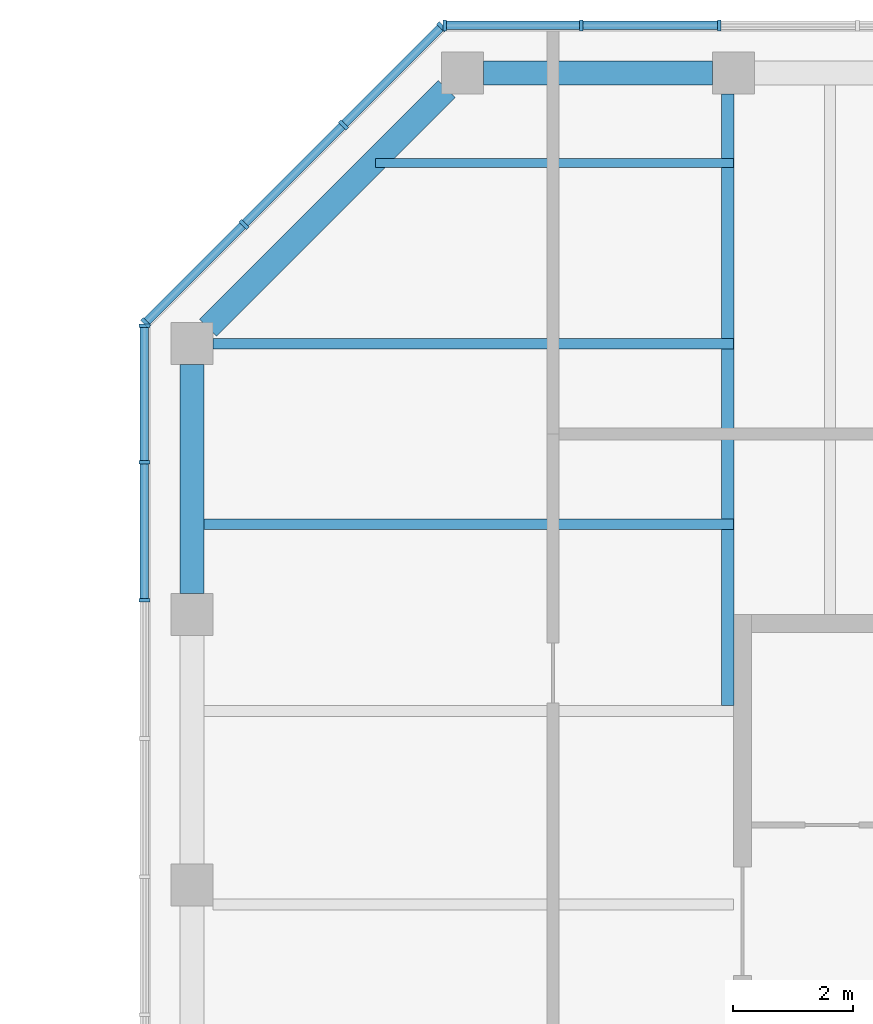
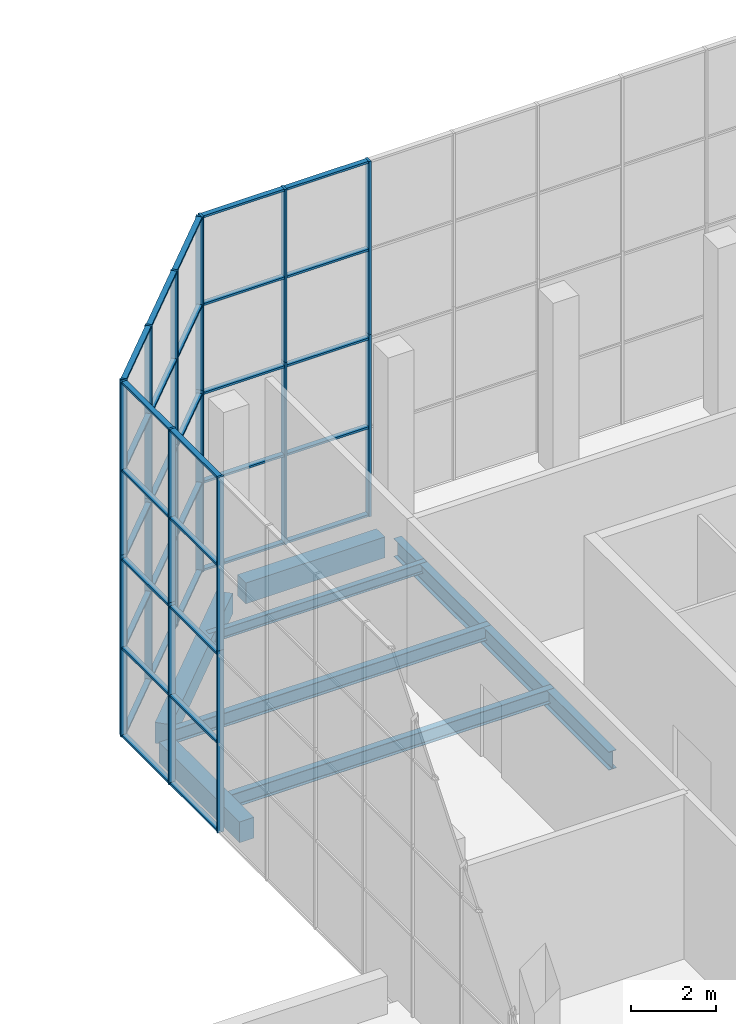
# One storey, part 7 of 19: 55 members, 7 beams, 3 elements without a shape of their own.
"""IFC4 building model written with IfcOpenShell, lengths in metres."""

from ifc_helpers import new_model, si_unit, direction, frame, origin, origin_2d, place, context, subcontext, project, spatial, rectangle, i_section, extrude, material, constituent, constituent_set, material_profile, profile_set, type_object, element, aggregate, save


model = new_model("IFC4")

# Units and contexts
model_context = context("Model", 3, precision=1e-05, world=origin(), true_north=direction((0.0, 1.0)))
body_context = subcontext(model_context, "Body", "Model", "MODEL_VIEW")
ifc_project = project(units=[si_unit("LENGTHUNIT", "METRE"), si_unit("AREAUNIT", "SQUARE_METRE"), si_unit("VOLUMEUNIT", "CUBIC_METRE"), si_unit("PLANEANGLEUNIT", "RADIAN"), si_unit("MASSUNIT", "GRAM", prefix="KILO")], contexts=[model_context])

# Site, building, storey
site_placement = place(None, origin())
site = spatial("IfcSite", under=ifc_project, at=site_placement, CompositionType="ELEMENT")
building_placement = place(site_placement, origin())
building = spatial("IfcBuilding", under=site, at=building_placement, Name="Quoin Convention Tower", CompositionType="ELEMENT")
storey_placement = place(building_placement, frame((0.0, 0.0, 263.699951171875)))
storey = spatial("IfcBuildingStorey", under=building, at=storey_placement, Name="L69", CompositionType="ELEMENT", Elevation=263.699951171875)

# Beams
ifc_material_1 = material(Name="Steel Grade 300", Category="steel")
ifc_material_profile_1 = material_profile(ifc_material_1, i_section(OverallWidth=0.14892578125, OverallDepth=0.298095703125, WebThickness=0.005615234375, FlangeThickness=0.008056640625, FilletRadius=0.012939453125, at=origin_2d()), Name="310UB32.0")
ifc_profile_set_1 = profile_set([ifc_material_profile_1], Name="Steel Grade 300")
beam_type_1 = type_object("IfcBeamType", Name="310UB32.0", PredefinedType="BEAM", material=ifc_profile_set_1)
beam_1_placement = place(storey_placement, frame((39.052490234375, 79.5, -0.39892578125), z_axis=(1.0, 0.0, 0.0), x_axis=(0.0, 1.0, 0.0)))
element("IfcBeam", 1, at=beam_1_placement, inside=storey, type_object=beam_type_1, Name="bm-L69-T1NW0", PredefinedType="BEAM", context=body_context, shape_type="SweptSolid", body=[
    extrude(i_section(OverallWidth=0.14892578125, OverallDepth=0.298095703125, WebThickness=0.005615234375, FlangeThickness=0.008056640625, FilletRadius=0.012939453125, at=origin_2d()), origin(), (0.0, 0.0, 1.0), 5.947509765625),
])
ifc_material_profile_2 = material_profile(ifc_material_1, i_section(OverallWidth=0.177978515625, OverallDepth=0.403076171875, WebThickness=0.007568359375, FlangeThickness=0.010986328125, FilletRadius=0.011474609375, at=origin_2d()), Name="410UB53.7")
ifc_profile_set_2 = profile_set([ifc_material_profile_2], Name="Steel Grade 300")
beam_type_2 = type_object("IfcBeamType", Name="410UB53.7", PredefinedType="BEAM", material=ifc_profile_set_2)
beam_2_placement = place(storey_placement, frame((36.35009765625, 76.5, -0.451416015625), z_axis=(1.0, 0.0, 0.0), x_axis=(0.0, 1.0, 0.0)))
element("IfcBeam", 2, at=beam_2_placement, inside=storey, type_object=beam_type_2, Name="bm-L69-T1NW1", PredefinedType="BEAM", context=body_context, shape_type="SweptSolid", body=[
    extrude(i_section(OverallWidth=0.177978515625, OverallDepth=0.403076171875, WebThickness=0.007568359375, FlangeThickness=0.010986328125, FilletRadius=0.011474609375, at=origin_2d()), origin(), (0.0, 0.0, 1.0), 8.64990234375),
])
beam_3_placement = place(storey_placement, frame((36.199951171875, 73.5, -0.451416015625), z_axis=(1.0, 0.0, 0.0), x_axis=(0.0, 1.0, 0.0)))
element("IfcBeam", 3, at=beam_3_placement, inside=storey, type_object=beam_type_2, Name="bm-L69-T1NW2", PredefinedType="BEAM", context=body_context, shape_type="SweptSolid", body=[
    extrude(i_section(OverallWidth=0.177978515625, OverallDepth=0.403076171875, WebThickness=0.007568359375, FlangeThickness=0.010986328125, FilletRadius=0.011474609375, at=origin_2d()), origin(), (0.0, 0.0, 1.0), 8.800048828125),
])
ifc_material_profile_3 = material_profile(ifc_material_1, i_section(OverallWidth=0.208984375, OverallDepth=0.528076171875, WebThickness=0.009521484375, FlangeThickness=0.01318359375, FilletRadius=0.013916015625, at=origin_2d()), Name="530UB82.0")
ifc_profile_set_3 = profile_set([ifc_material_profile_3], Name="Steel Grade 300")
beam_type_3 = type_object("IfcBeamType", Name="530UB82.0", PredefinedType="BEAM", material=ifc_profile_set_3)
beam_4_placement = place(storey_placement, frame((44.904541015625, 80.64990234375, -0.513916015625), z_axis=(0.0, -1.0, 0.0), x_axis=(1.0, 0.0, 0.0)))
element("IfcBeam", 4, at=beam_4_placement, inside=storey, type_object=beam_type_3, Name="gir-L69-T1NW", PredefinedType="BEAM", context=body_context, shape_type="SweptSolid", body=[
    extrude(i_section(OverallWidth=0.208984375, OverallDepth=0.528076171875, WebThickness=0.009521484375, FlangeThickness=0.01318359375, FilletRadius=0.013916015625, at=origin_2d()), origin(), (0.0, 0.0, 1.0), 10.16796875),
])

# Curtain wall, members
ifc_material_2 = material(Name="Aluminium", Category="aluminium")
ifc_constituent_1 = constituent(ifc_material_2, Name="Frame")
ifc_material_3 = material(Name="Insulated glass", Category="glass")
ifc_constituent_2 = constituent(ifc_material_3, Name="Glazing")
ifc_constituent_set = constituent_set(constituents=[ifc_constituent_1, ifc_constituent_2], Name="Aluminium")
curtain_wall_type = type_object("IfcCurtainWallType", Name="Lantern wall system", PredefinedType="NOTDEFINED", material=ifc_constituent_set)
curtain_wall_1_placement = place(storey_placement, origin())
curtain_wall_1 = element("IfcCurtainWall", 5, at=curtain_wall_1_placement, inside=storey, type_object=curtain_wall_type, Name="crn-LNW-72000_81000", PredefinedType="NOTDEFINED")
ifc_material_profile_4 = material_profile(ifc_material_2, rectangle(XDim=0.179931640625, YDim=0.06005859375, at=origin_2d()), Name="Lantern wall mullion 60x180")
ifc_profile_set_4 = profile_set([ifc_material_profile_4], Name="Aluminium")
member_type_1 = type_object("IfcMemberType", Name="Lantern wall mullion 60x180", PredefinedType="MULLION", material=ifc_profile_set_4)
member_1_placement = place(storey_placement, frame((44.766357421875, 81.7900390625, -0.25), z_axis=(0.0, 0.0, 1.0), x_axis=(0.0, -1.0, 0.0)))
member_1 = element("IfcMember", 6, at=member_1_placement, type_object=member_type_1, Name="CW5 mullion 13", PredefinedType="MULLION", context=body_context, shape_type="SweptSolid", body=[
    extrude(rectangle(XDim=0.179931640625, YDim=0.06005859375, at=origin_2d()), origin(), (0.0, 0.0, 1.0), 5.25),
])
member_2_placement = place(storey_placement, frame((42.469482421875, 81.7900390625, -0.25), z_axis=(0.0, 0.0, 1.0), x_axis=(0.0, -1.0, 0.0)))
member_2 = element("IfcMember", 7, at=member_2_placement, type_object=member_type_1, Name="CW5 mullion 14", PredefinedType="MULLION", context=body_context, shape_type="SweptSolid", body=[
    extrude(rectangle(XDim=0.179931640625, YDim=0.06005859375, at=origin_2d()), origin(), (0.0, 0.0, 1.0), 5.25),
])
member_3_placement = place(storey_placement, frame((40.202880859375, 81.7900390625, -0.25), z_axis=(0.0, 0.0, 1.0), x_axis=(0.0, -1.0, 0.0)))
member_3 = element("IfcMember", 8, at=member_3_placement, type_object=member_type_1, Name="CW5 mullion 15", PredefinedType="MULLION", context=body_context, shape_type="SweptSolid", body=[
    extrude(rectangle(XDim=0.179931640625, YDim=0.06005859375, at=origin_2d()), origin(), (0.0, 0.0, 1.0), 5.25),
])
member_4_placement = place(storey_placement, frame((44.766357421875, 81.7900390625, 5.0), z_axis=(0.0, 0.0, 1.0), x_axis=(0.0, -1.0, 0.0)))
member_4 = element("IfcMember", 9, at=member_4_placement, type_object=member_type_1, Name="CW5 mullion 13", PredefinedType="MULLION", context=body_context, shape_type="SweptSolid", body=[
    extrude(rectangle(XDim=0.179931640625, YDim=0.06005859375, at=origin_2d()), origin(), (0.0, 0.0, 1.0), 5.0),
])
member_5_placement = place(storey_placement, frame((42.469482421875, 81.7900390625, 5.0), z_axis=(0.0, 0.0, 1.0), x_axis=(0.0, -1.0, 0.0)))
member_5 = element("IfcMember", 10, at=member_5_placement, type_object=member_type_1, Name="CW5 mullion 14", PredefinedType="MULLION", context=body_context, shape_type="SweptSolid", body=[
    extrude(rectangle(XDim=0.179931640625, YDim=0.06005859375, at=origin_2d()), origin(), (0.0, 0.0, 1.0), 5.0),
])
member_6_placement = place(storey_placement, frame((40.202880859375, 81.7900390625, 5.0), z_axis=(0.0, 0.0, 1.0), x_axis=(0.0, -1.0, 0.0)))
member_6 = element("IfcMember", 11, at=member_6_placement, type_object=member_type_1, Name="CW5 mullion 15", PredefinedType="MULLION", context=body_context, shape_type="SweptSolid", body=[
    extrude(rectangle(XDim=0.179931640625, YDim=0.06005859375, at=origin_2d()), origin(), (0.0, 0.0, 1.0), 5.0),
])

curtain_wall_2_placement = place(storey_placement, origin())
curtain_wall_2 = element("IfcCurtainWall", 12, at=curtain_wall_2_placement, inside=storey, type_object=curtain_wall_type, Name="crn-LNW-40500_81000", PredefinedType="NOTDEFINED")
member_7_placement = place(storey_placement, frame((40.151611328125, 81.768798828125, -0.25), z_axis=(0.0, 0.0, 1.0), x_axis=(0.707106781187, -0.707106781187, 0.0)))
member_7 = element("IfcMember", 13, at=member_7_placement, type_object=member_type_1, Name="CW5 mullion 1", PredefinedType="MULLION", context=body_context, shape_type="SweptSolid", body=[
    extrude(rectangle(XDim=0.179931640625, YDim=0.06005859375, at=origin_2d()), origin(), (0.0, 0.0, 1.0), 5.25),
])
member_8_placement = place(storey_placement, frame((38.5185546875, 80.1357421875, -0.25), z_axis=(0.0, 0.0, 1.0), x_axis=(0.707106781187, -0.707106781187, 0.0)))
member_8 = element("IfcMember", 14, at=member_8_placement, type_object=member_type_1, Name="CW5 mullion 2", PredefinedType="MULLION", context=body_context, shape_type="SweptSolid", body=[
    extrude(rectangle(XDim=0.179931640625, YDim=0.06005859375, at=origin_2d()), origin(), (0.0, 0.0, 1.0), 5.25),
])
member_9_placement = place(storey_placement, frame((36.8642578125, 78.4814453125, -0.25), z_axis=(0.0, 0.0, 1.0), x_axis=(0.707106781187, -0.707106781187, 0.0)))
member_9 = element("IfcMember", 15, at=member_9_placement, type_object=member_type_1, Name="CW5 mullion 3", PredefinedType="MULLION", context=body_context, shape_type="SweptSolid", body=[
    extrude(rectangle(XDim=0.179931640625, YDim=0.06005859375, at=origin_2d()), origin(), (0.0, 0.0, 1.0), 5.25),
])
member_10_placement = place(storey_placement, frame((35.231201171875, 76.848388671875, -0.25), z_axis=(0.0, 0.0, 1.0), x_axis=(0.707106781187, -0.707106781187, 0.0)))
member_10 = element("IfcMember", 16, at=member_10_placement, type_object=member_type_1, Name="CW5 mullion 4", PredefinedType="MULLION", context=body_context, shape_type="SweptSolid", body=[
    extrude(rectangle(XDim=0.179931640625, YDim=0.06005859375, at=origin_2d()), origin(), (0.0, 0.0, 1.0), 5.25),
])
member_11_placement = place(storey_placement, frame((40.151611328125, 81.768798828125, 5.0), z_axis=(0.0, 0.0, 1.0), x_axis=(0.707106781187, -0.707106781187, 0.0)))
member_11 = element("IfcMember", 17, at=member_11_placement, type_object=member_type_1, Name="CW5 mullion 1", PredefinedType="MULLION", context=body_context, shape_type="SweptSolid", body=[
    extrude(rectangle(XDim=0.179931640625, YDim=0.06005859375, at=origin_2d()), origin(), (0.0, 0.0, 1.0), 5.0),
])
member_12_placement = place(storey_placement, frame((38.5185546875, 80.1357421875, 5.0), z_axis=(0.0, 0.0, 1.0), x_axis=(0.707106781187, -0.707106781187, 0.0)))
member_12 = element("IfcMember", 18, at=member_12_placement, type_object=member_type_1, Name="CW5 mullion 2", PredefinedType="MULLION", context=body_context, shape_type="SweptSolid", body=[
    extrude(rectangle(XDim=0.179931640625, YDim=0.06005859375, at=origin_2d()), origin(), (0.0, 0.0, 1.0), 5.0),
])
member_13_placement = place(storey_placement, frame((36.8642578125, 78.4814453125, 5.0), z_axis=(0.0, 0.0, 1.0), x_axis=(0.707106781187, -0.707106781187, 0.0)))
member_13 = element("IfcMember", 19, at=member_13_placement, type_object=member_type_1, Name="CW5 mullion 3", PredefinedType="MULLION", context=body_context, shape_type="SweptSolid", body=[
    extrude(rectangle(XDim=0.179931640625, YDim=0.06005859375, at=origin_2d()), origin(), (0.0, 0.0, 1.0), 5.0),
])
member_14_placement = place(storey_placement, frame((35.231201171875, 76.848388671875, 5.0), z_axis=(0.0, 0.0, 1.0), x_axis=(0.707106781187, -0.707106781187, 0.0)))
member_14 = element("IfcMember", 20, at=member_14_placement, type_object=member_type_1, Name="CW5 mullion 4", PredefinedType="MULLION", context=body_context, shape_type="SweptSolid", body=[
    extrude(rectangle(XDim=0.179931640625, YDim=0.06005859375, at=origin_2d()), origin(), (0.0, 0.0, 1.0), 5.0),
])

curtain_wall_3_placement = place(storey_placement, origin())
curtain_wall_3 = element("IfcCurtainWall", 21, at=curtain_wall_3_placement, inside=storey, type_object=curtain_wall_type, Name="crn-LNW-36000_76500", PredefinedType="NOTDEFINED")
member_15_placement = place(storey_placement, frame((35.2099609375, 76.797119140625, -0.25), z_axis=(0.0, 0.0, 1.0), x_axis=(1.0, 0.0, 0.0)))
member_15 = element("IfcMember", 22, at=member_15_placement, type_object=member_type_1, Name="CW5 mullion 1", PredefinedType="MULLION", context=body_context, shape_type="SweptSolid", body=[
    extrude(rectangle(XDim=0.179931640625, YDim=0.06005859375, at=origin_2d()), origin(), (0.0, 0.0, 1.0), 5.25),
])
member_16_placement = place(storey_placement, frame((35.2099609375, 74.530517578125, -0.25), z_axis=(0.0, 0.0, 1.0), x_axis=(1.0, 0.0, 0.0)))
member_16 = element("IfcMember", 23, at=member_16_placement, type_object=member_type_1, Name="CW5 mullion 2", PredefinedType="MULLION", context=body_context, shape_type="SweptSolid", body=[
    extrude(rectangle(XDim=0.179931640625, YDim=0.06005859375, at=origin_2d()), origin(), (0.0, 0.0, 1.0), 5.25),
])
member_17_placement = place(storey_placement, frame((35.2099609375, 72.233642578125, -0.25), z_axis=(0.0, 0.0, 1.0), x_axis=(1.0, 0.0, 0.0)))
member_17 = element("IfcMember", 24, at=member_17_placement, type_object=member_type_1, Name="CW5 mullion 3", PredefinedType="MULLION", context=body_context, shape_type="SweptSolid", body=[
    extrude(rectangle(XDim=0.179931640625, YDim=0.06005859375, at=origin_2d()), origin(), (0.0, 0.0, 1.0), 5.25),
])
member_18_placement = place(storey_placement, frame((35.2099609375, 76.797119140625, 5.0), z_axis=(0.0, 0.0, 1.0), x_axis=(1.0, 0.0, 0.0)))
member_18 = element("IfcMember", 25, at=member_18_placement, type_object=member_type_1, Name="CW5 mullion 1", PredefinedType="MULLION", context=body_context, shape_type="SweptSolid", body=[
    extrude(rectangle(XDim=0.179931640625, YDim=0.06005859375, at=origin_2d()), origin(), (0.0, 0.0, 1.0), 5.0),
])
member_19_placement = place(storey_placement, frame((35.2099609375, 74.530517578125, 5.0), z_axis=(0.0, 0.0, 1.0), x_axis=(1.0, 0.0, 0.0)))
member_19 = element("IfcMember", 26, at=member_19_placement, type_object=member_type_1, Name="CW5 mullion 2", PredefinedType="MULLION", context=body_context, shape_type="SweptSolid", body=[
    extrude(rectangle(XDim=0.179931640625, YDim=0.06005859375, at=origin_2d()), origin(), (0.0, 0.0, 1.0), 5.0),
])
member_20_placement = place(storey_placement, frame((35.2099609375, 72.233642578125, 5.0), z_axis=(0.0, 0.0, 1.0), x_axis=(1.0, 0.0, 0.0)))
member_20 = element("IfcMember", 27, at=member_20_placement, type_object=member_type_1, Name="CW5 mullion 3", PredefinedType="MULLION", context=body_context, shape_type="SweptSolid", body=[
    extrude(rectangle(XDim=0.179931640625, YDim=0.06005859375, at=origin_2d()), origin(), (0.0, 0.0, 1.0), 5.0),
])

# Member
ifc_material_profile_5 = material_profile(ifc_material_2, rectangle(XDim=0.139892578125, YDim=0.06005859375, at=origin_2d()), Name="Lantern wall transom 60x140")
ifc_profile_set_5 = profile_set([ifc_material_profile_5], Name="Aluminium")
member_type_2 = type_object("IfcMemberType", Name="Lantern wall transom 60x140", PredefinedType="USERDEFINED", material=ifc_profile_set_5)
member_21_placement = place(storey_placement, frame((44.736328125, 81.7900390625, -0.219970703125), z_axis=(-1.0, 0.0, 0.0), x_axis=(0.0, -1.0, 0.0)))
member_21 = element("IfcMember", 28, at=member_21_placement, type_object=member_type_2, Name="CW5 transom 13.1", ObjectType="TRANSOM", PredefinedType="USERDEFINED", context=body_context, shape_type="SweptSolid", body=[
    extrude(rectangle(XDim=0.139892578125, YDim=0.06005859375, at=origin_2d()), origin(), (0.0, 0.0, 1.0), 2.23681640625),
])

member_22_placement = place(storey_placement, frame((44.736328125, 81.7900390625, 2.3125), z_axis=(-1.0, 0.0, 0.0), x_axis=(0.0, -1.0, 0.0)))
member_22 = element("IfcMember", 29, at=member_22_placement, type_object=member_type_2, Name="CW5 transom 13.2", ObjectType="TRANSOM", PredefinedType="USERDEFINED", context=body_context, shape_type="SweptSolid", body=[
    extrude(rectangle(XDim=0.139892578125, YDim=0.06005859375, at=origin_2d()), origin(), (0.0, 0.0, 1.0), 2.23681640625),
])

member_23_placement = place(storey_placement, frame((44.736328125, 81.7900390625, 4.875), z_axis=(-1.0, 0.0, 0.0), x_axis=(0.0, -1.0, 0.0)))
member_23 = element("IfcMember", 30, at=member_23_placement, type_object=member_type_2, Name="CW5 transom 13.3", ObjectType="TRANSOM", PredefinedType="USERDEFINED", context=body_context, shape_type="SweptSolid", body=[
    extrude(rectangle(XDim=0.139892578125, YDim=0.06005859375, at=origin_2d()), origin(), (0.0, 0.0, 1.0), 2.23681640625),
])

member_24_placement = place(storey_placement, frame((44.736328125, 81.7900390625, 7.4375), z_axis=(-1.0, 0.0, 0.0), x_axis=(0.0, -1.0, 0.0)))
member_24 = element("IfcMember", 31, at=member_24_placement, type_object=member_type_2, Name="CW5 transom 13.4", ObjectType="TRANSOM", PredefinedType="USERDEFINED", context=body_context, shape_type="SweptSolid", body=[
    extrude(rectangle(XDim=0.139892578125, YDim=0.06005859375, at=origin_2d()), origin(), (0.0, 0.0, 1.0), 2.23681640625),
])

member_25_placement = place(storey_placement, frame((44.736328125, 81.7900390625, 9.969970703125), z_axis=(-1.0, 0.0, 0.0), x_axis=(0.0, -1.0, 0.0)))
member_25 = element("IfcMember", 32, at=member_25_placement, type_object=member_type_2, Name="CW5 transom 13.5", ObjectType="TRANSOM", PredefinedType="USERDEFINED", context=body_context, shape_type="SweptSolid", body=[
    extrude(rectangle(XDim=0.139892578125, YDim=0.06005859375, at=origin_2d()), origin(), (0.0, 0.0, 1.0), 2.23681640625),
])

member_26_placement = place(storey_placement, frame((42.439453125, 81.7900390625, -0.219970703125), z_axis=(-1.0, 0.0, 0.0), x_axis=(0.0, -1.0, 0.0)))
member_26 = element("IfcMember", 33, at=member_26_placement, type_object=member_type_2, Name="CW5 transom 14.1", ObjectType="TRANSOM", PredefinedType="USERDEFINED", context=body_context, shape_type="SweptSolid", body=[
    extrude(rectangle(XDim=0.139892578125, YDim=0.06005859375, at=origin_2d()), origin(), (0.0, 0.0, 1.0), 2.20654296875),
])

member_27_placement = place(storey_placement, frame((42.439453125, 81.7900390625, 2.3125), z_axis=(-1.0, 0.0, 0.0), x_axis=(0.0, -1.0, 0.0)))
member_27 = element("IfcMember", 34, at=member_27_placement, type_object=member_type_2, Name="CW5 transom 14.2", ObjectType="TRANSOM", PredefinedType="USERDEFINED", context=body_context, shape_type="SweptSolid", body=[
    extrude(rectangle(XDim=0.139892578125, YDim=0.06005859375, at=origin_2d()), origin(), (0.0, 0.0, 1.0), 2.20654296875),
])

member_28_placement = place(storey_placement, frame((42.439453125, 81.7900390625, 4.875), z_axis=(-1.0, 0.0, 0.0), x_axis=(0.0, -1.0, 0.0)))
member_28 = element("IfcMember", 35, at=member_28_placement, type_object=member_type_2, Name="CW5 transom 14.3", ObjectType="TRANSOM", PredefinedType="USERDEFINED", context=body_context, shape_type="SweptSolid", body=[
    extrude(rectangle(XDim=0.139892578125, YDim=0.06005859375, at=origin_2d()), origin(), (0.0, 0.0, 1.0), 2.20654296875),
])

member_29_placement = place(storey_placement, frame((42.439453125, 81.7900390625, 7.4375), z_axis=(-1.0, 0.0, 0.0), x_axis=(0.0, -1.0, 0.0)))
member_29 = element("IfcMember", 36, at=member_29_placement, type_object=member_type_2, Name="CW5 transom 14.4", ObjectType="TRANSOM", PredefinedType="USERDEFINED", context=body_context, shape_type="SweptSolid", body=[
    extrude(rectangle(XDim=0.139892578125, YDim=0.06005859375, at=origin_2d()), origin(), (0.0, 0.0, 1.0), 2.20654296875),
])

member_30_placement = place(storey_placement, frame((42.439453125, 81.7900390625, 9.969970703125), z_axis=(-1.0, 0.0, 0.0), x_axis=(0.0, -1.0, 0.0)))
member_30 = element("IfcMember", 37, at=member_30_placement, type_object=member_type_2, Name="CW5 transom 14.5", ObjectType="TRANSOM", PredefinedType="USERDEFINED", context=body_context, shape_type="SweptSolid", body=[
    extrude(rectangle(XDim=0.139892578125, YDim=0.06005859375, at=origin_2d()), origin(), (0.0, 0.0, 1.0), 2.20654296875),
])

aggregate(curtain_wall_1, [member_1, member_2, member_3, member_21, member_22, member_23, member_24, member_25, member_26, member_27, member_28, member_29, member_30, member_4, member_5, member_6])

member_31_placement = place(storey_placement, frame((40.13037109375, 81.74755859375, -0.219970703125), z_axis=(-0.707106781187, -0.707106781187, 0.0), x_axis=(0.707106781187, -0.707106781187, 0.0)))
member_31 = element("IfcMember", 38, at=member_31_placement, type_object=member_type_2, Name="CW5 transom 1.1", ObjectType="TRANSOM", PredefinedType="USERDEFINED", context=body_context, shape_type="SweptSolid", body=[
    extrude(rectangle(XDim=0.139892578125, YDim=0.06005859375, at=origin_2d()), origin(), (0.0, 0.0, 1.0), 2.24951171875),
])

member_32_placement = place(storey_placement, frame((40.13037109375, 81.74755859375, 2.3125), z_axis=(-0.707106781187, -0.707106781187, 0.0), x_axis=(0.707106781187, -0.707106781187, 0.0)))
member_32 = element("IfcMember", 39, at=member_32_placement, type_object=member_type_2, Name="CW5 transom 1.2", ObjectType="TRANSOM", PredefinedType="USERDEFINED", context=body_context, shape_type="SweptSolid", body=[
    extrude(rectangle(XDim=0.139892578125, YDim=0.06005859375, at=origin_2d()), origin(), (0.0, 0.0, 1.0), 2.24951171875),
])

member_33_placement = place(storey_placement, frame((40.13037109375, 81.74755859375, 4.875), z_axis=(-0.707106781187, -0.707106781187, 0.0), x_axis=(0.707106781187, -0.707106781187, 0.0)))
member_33 = element("IfcMember", 40, at=member_33_placement, type_object=member_type_2, Name="CW5 transom 1.3", ObjectType="TRANSOM", PredefinedType="USERDEFINED", context=body_context, shape_type="SweptSolid", body=[
    extrude(rectangle(XDim=0.139892578125, YDim=0.06005859375, at=origin_2d()), origin(), (0.0, 0.0, 1.0), 2.24951171875),
])

member_34_placement = place(storey_placement, frame((40.13037109375, 81.74755859375, 7.4375), z_axis=(-0.707106781187, -0.707106781187, 0.0), x_axis=(0.707106781187, -0.707106781187, 0.0)))
member_34 = element("IfcMember", 41, at=member_34_placement, type_object=member_type_2, Name="CW5 transom 1.4", ObjectType="TRANSOM", PredefinedType="USERDEFINED", context=body_context, shape_type="SweptSolid", body=[
    extrude(rectangle(XDim=0.139892578125, YDim=0.06005859375, at=origin_2d()), origin(), (0.0, 0.0, 1.0), 2.24951171875),
])

member_35_placement = place(storey_placement, frame((40.13037109375, 81.74755859375, 9.969970703125), z_axis=(-0.707106781187, -0.707106781187, 0.0), x_axis=(0.707106781187, -0.707106781187, 0.0)))
member_35 = element("IfcMember", 42, at=member_35_placement, type_object=member_type_2, Name="CW5 transom 1.5", ObjectType="TRANSOM", PredefinedType="USERDEFINED", context=body_context, shape_type="SweptSolid", body=[
    extrude(rectangle(XDim=0.139892578125, YDim=0.06005859375, at=origin_2d()), origin(), (0.0, 0.0, 1.0), 2.24951171875),
])

member_36_placement = place(storey_placement, frame((38.497314453125, 80.114501953125, -0.219970703125), z_axis=(-0.707106781187, -0.707106781187, 0.0), x_axis=(0.707106781187, -0.707106781187, 0.0)))
member_36 = element("IfcMember", 43, at=member_36_placement, type_object=member_type_2, Name="CW5 transom 2.1", ObjectType="TRANSOM", PredefinedType="USERDEFINED", context=body_context, shape_type="SweptSolid", body=[
    extrude(rectangle(XDim=0.139892578125, YDim=0.06005859375, at=origin_2d()), origin(), (0.0, 0.0, 1.0), 2.279541015625),
])

member_37_placement = place(storey_placement, frame((38.497314453125, 80.114501953125, 2.3125), z_axis=(-0.707106781187, -0.707106781187, 0.0), x_axis=(0.707106781187, -0.707106781187, 0.0)))
member_37 = element("IfcMember", 44, at=member_37_placement, type_object=member_type_2, Name="CW5 transom 2.2", ObjectType="TRANSOM", PredefinedType="USERDEFINED", context=body_context, shape_type="SweptSolid", body=[
    extrude(rectangle(XDim=0.139892578125, YDim=0.06005859375, at=origin_2d()), origin(), (0.0, 0.0, 1.0), 2.279541015625),
])

member_38_placement = place(storey_placement, frame((38.497314453125, 80.114501953125, 4.875), z_axis=(-0.707106781187, -0.707106781187, 0.0), x_axis=(0.707106781187, -0.707106781187, 0.0)))
member_38 = element("IfcMember", 45, at=member_38_placement, type_object=member_type_2, Name="CW5 transom 2.3", ObjectType="TRANSOM", PredefinedType="USERDEFINED", context=body_context, shape_type="SweptSolid", body=[
    extrude(rectangle(XDim=0.139892578125, YDim=0.06005859375, at=origin_2d()), origin(), (0.0, 0.0, 1.0), 2.279541015625),
])

member_39_placement = place(storey_placement, frame((38.497314453125, 80.114501953125, 7.4375), z_axis=(-0.707106781187, -0.707106781187, 0.0), x_axis=(0.707106781187, -0.707106781187, 0.0)))
member_39 = element("IfcMember", 46, at=member_39_placement, type_object=member_type_2, Name="CW5 transom 2.4", ObjectType="TRANSOM", PredefinedType="USERDEFINED", context=body_context, shape_type="SweptSolid", body=[
    extrude(rectangle(XDim=0.139892578125, YDim=0.06005859375, at=origin_2d()), origin(), (0.0, 0.0, 1.0), 2.279541015625),
])

member_40_placement = place(storey_placement, frame((38.497314453125, 80.114501953125, 9.969970703125), z_axis=(-0.707106781187, -0.707106781187, 0.0), x_axis=(0.707106781187, -0.707106781187, 0.0)))
member_40 = element("IfcMember", 47, at=member_40_placement, type_object=member_type_2, Name="CW5 transom 2.5", ObjectType="TRANSOM", PredefinedType="USERDEFINED", context=body_context, shape_type="SweptSolid", body=[
    extrude(rectangle(XDim=0.139892578125, YDim=0.06005859375, at=origin_2d()), origin(), (0.0, 0.0, 1.0), 2.279541015625),
])

member_41_placement = place(storey_placement, frame((36.843017578125, 78.460205078125, -0.219970703125), z_axis=(-0.707106781187, -0.707106781187, 0.0), x_axis=(0.707106781187, -0.707106781187, 0.0)))
member_41 = element("IfcMember", 48, at=member_41_placement, type_object=member_type_2, Name="CW5 transom 3.1", ObjectType="TRANSOM", PredefinedType="USERDEFINED", context=body_context, shape_type="SweptSolid", body=[
    extrude(rectangle(XDim=0.139892578125, YDim=0.06005859375, at=origin_2d()), origin(), (0.0, 0.0, 1.0), 2.24951171875),
])

member_42_placement = place(storey_placement, frame((36.843017578125, 78.460205078125, 2.3125), z_axis=(-0.707106781187, -0.707106781187, 0.0), x_axis=(0.707106781187, -0.707106781187, 0.0)))
member_42 = element("IfcMember", 49, at=member_42_placement, type_object=member_type_2, Name="CW5 transom 3.2", ObjectType="TRANSOM", PredefinedType="USERDEFINED", context=body_context, shape_type="SweptSolid", body=[
    extrude(rectangle(XDim=0.139892578125, YDim=0.06005859375, at=origin_2d()), origin(), (0.0, 0.0, 1.0), 2.24951171875),
])

member_43_placement = place(storey_placement, frame((36.843017578125, 78.460205078125, 4.875), z_axis=(-0.707106781187, -0.707106781187, 0.0), x_axis=(0.707106781187, -0.707106781187, 0.0)))
member_43 = element("IfcMember", 50, at=member_43_placement, type_object=member_type_2, Name="CW5 transom 3.3", ObjectType="TRANSOM", PredefinedType="USERDEFINED", context=body_context, shape_type="SweptSolid", body=[
    extrude(rectangle(XDim=0.139892578125, YDim=0.06005859375, at=origin_2d()), origin(), (0.0, 0.0, 1.0), 2.24951171875),
])

member_44_placement = place(storey_placement, frame((36.843017578125, 78.460205078125, 7.4375), z_axis=(-0.707106781187, -0.707106781187, 0.0), x_axis=(0.707106781187, -0.707106781187, 0.0)))
member_44 = element("IfcMember", 51, at=member_44_placement, type_object=member_type_2, Name="CW5 transom 3.4", ObjectType="TRANSOM", PredefinedType="USERDEFINED", context=body_context, shape_type="SweptSolid", body=[
    extrude(rectangle(XDim=0.139892578125, YDim=0.06005859375, at=origin_2d()), origin(), (0.0, 0.0, 1.0), 2.24951171875),
])

member_45_placement = place(storey_placement, frame((36.843017578125, 78.460205078125, 9.969970703125), z_axis=(-0.707106781187, -0.707106781187, 0.0), x_axis=(0.707106781187, -0.707106781187, 0.0)))
member_45 = element("IfcMember", 52, at=member_45_placement, type_object=member_type_2, Name="CW5 transom 3.5", ObjectType="TRANSOM", PredefinedType="USERDEFINED", context=body_context, shape_type="SweptSolid", body=[
    extrude(rectangle(XDim=0.139892578125, YDim=0.06005859375, at=origin_2d()), origin(), (0.0, 0.0, 1.0), 2.24951171875),
])

aggregate(curtain_wall_2, [member_7, member_8, member_9, member_10, member_31, member_32, member_33, member_34, member_35, member_36, member_37, member_38, member_39, member_40, member_41, member_42, member_43, member_44, member_45, member_11, member_12, member_13, member_14])

member_46_placement = place(storey_placement, frame((35.2099609375, 76.76708984375, -0.219970703125), z_axis=(0.0, -1.0, 0.0), x_axis=(1.0, 0.0, 0.0)))
member_46 = element("IfcMember", 53, at=member_46_placement, type_object=member_type_2, Name="CW5 transom 1.1", ObjectType="TRANSOM", PredefinedType="USERDEFINED", context=body_context, shape_type="SweptSolid", body=[
    extrude(rectangle(XDim=0.139892578125, YDim=0.06005859375, at=origin_2d()), origin(), (0.0, 0.0, 1.0), 2.20654296875),
])

member_47_placement = place(storey_placement, frame((35.2099609375, 76.76708984375, 2.3125), z_axis=(0.0, -1.0, 0.0), x_axis=(1.0, 0.0, 0.0)))
member_47 = element("IfcMember", 54, at=member_47_placement, type_object=member_type_2, Name="CW5 transom 1.2", ObjectType="TRANSOM", PredefinedType="USERDEFINED", context=body_context, shape_type="SweptSolid", body=[
    extrude(rectangle(XDim=0.139892578125, YDim=0.06005859375, at=origin_2d()), origin(), (0.0, 0.0, 1.0), 2.20654296875),
])

member_48_placement = place(storey_placement, frame((35.2099609375, 76.76708984375, 4.875), z_axis=(0.0, -1.0, 0.0), x_axis=(1.0, 0.0, 0.0)))
member_48 = element("IfcMember", 55, at=member_48_placement, type_object=member_type_2, Name="CW5 transom 1.3", ObjectType="TRANSOM", PredefinedType="USERDEFINED", context=body_context, shape_type="SweptSolid", body=[
    extrude(rectangle(XDim=0.139892578125, YDim=0.06005859375, at=origin_2d()), origin(), (0.0, 0.0, 1.0), 2.20654296875),
])

member_49_placement = place(storey_placement, frame((35.2099609375, 76.76708984375, 7.4375), z_axis=(0.0, -1.0, 0.0), x_axis=(1.0, 0.0, 0.0)))
member_49 = element("IfcMember", 56, at=member_49_placement, type_object=member_type_2, Name="CW5 transom 1.4", ObjectType="TRANSOM", PredefinedType="USERDEFINED", context=body_context, shape_type="SweptSolid", body=[
    extrude(rectangle(XDim=0.139892578125, YDim=0.06005859375, at=origin_2d()), origin(), (0.0, 0.0, 1.0), 2.20654296875),
])

member_50_placement = place(storey_placement, frame((35.2099609375, 76.76708984375, 9.969970703125), z_axis=(0.0, -1.0, 0.0), x_axis=(1.0, 0.0, 0.0)))
member_50 = element("IfcMember", 57, at=member_50_placement, type_object=member_type_2, Name="CW5 transom 1.5", ObjectType="TRANSOM", PredefinedType="USERDEFINED", context=body_context, shape_type="SweptSolid", body=[
    extrude(rectangle(XDim=0.139892578125, YDim=0.06005859375, at=origin_2d()), origin(), (0.0, 0.0, 1.0), 2.20654296875),
])

member_51_placement = place(storey_placement, frame((35.2099609375, 74.50048828125, -0.219970703125), z_axis=(0.0, -1.0, 0.0), x_axis=(1.0, 0.0, 0.0)))
member_51 = element("IfcMember", 58, at=member_51_placement, type_object=member_type_2, Name="CW5 transom 2.1", ObjectType="TRANSOM", PredefinedType="USERDEFINED", context=body_context, shape_type="SweptSolid", body=[
    extrude(rectangle(XDim=0.139892578125, YDim=0.06005859375, at=origin_2d()), origin(), (0.0, 0.0, 1.0), 2.23681640625),
])

member_52_placement = place(storey_placement, frame((35.2099609375, 74.50048828125, 2.3125), z_axis=(0.0, -1.0, 0.0), x_axis=(1.0, 0.0, 0.0)))
member_52 = element("IfcMember", 59, at=member_52_placement, type_object=member_type_2, Name="CW5 transom 2.2", ObjectType="TRANSOM", PredefinedType="USERDEFINED", context=body_context, shape_type="SweptSolid", body=[
    extrude(rectangle(XDim=0.139892578125, YDim=0.06005859375, at=origin_2d()), origin(), (0.0, 0.0, 1.0), 2.23681640625),
])

member_53_placement = place(storey_placement, frame((35.2099609375, 74.50048828125, 4.875), z_axis=(0.0, -1.0, 0.0), x_axis=(1.0, 0.0, 0.0)))
member_53 = element("IfcMember", 60, at=member_53_placement, type_object=member_type_2, Name="CW5 transom 2.3", ObjectType="TRANSOM", PredefinedType="USERDEFINED", context=body_context, shape_type="SweptSolid", body=[
    extrude(rectangle(XDim=0.139892578125, YDim=0.06005859375, at=origin_2d()), origin(), (0.0, 0.0, 1.0), 2.23681640625),
])

member_54_placement = place(storey_placement, frame((35.2099609375, 74.50048828125, 7.4375), z_axis=(0.0, -1.0, 0.0), x_axis=(1.0, 0.0, 0.0)))
member_54 = element("IfcMember", 61, at=member_54_placement, type_object=member_type_2, Name="CW5 transom 2.4", ObjectType="TRANSOM", PredefinedType="USERDEFINED", context=body_context, shape_type="SweptSolid", body=[
    extrude(rectangle(XDim=0.139892578125, YDim=0.06005859375, at=origin_2d()), origin(), (0.0, 0.0, 1.0), 2.23681640625),
])

member_55_placement = place(storey_placement, frame((35.2099609375, 74.50048828125, 9.969970703125), z_axis=(0.0, -1.0, 0.0), x_axis=(1.0, 0.0, 0.0)))
member_55 = element("IfcMember", 62, at=member_55_placement, type_object=member_type_2, Name="CW5 transom 2.5", ObjectType="TRANSOM", PredefinedType="USERDEFINED", context=body_context, shape_type="SweptSolid", body=[
    extrude(rectangle(XDim=0.139892578125, YDim=0.06005859375, at=origin_2d()), origin(), (0.0, 0.0, 1.0), 2.23681640625),
])

aggregate(curtain_wall_3, [member_15, member_16, member_17, member_46, member_47, member_48, member_49, member_50, member_51, member_52, member_53, member_54, member_55, member_18, member_19, member_20])

# Beams
ifc_material_4 = material(Name="Concrete C40", Category="concrete")
ifc_material_profile_6 = material_profile(ifc_material_4, rectangle(XDim=0.39990234375, YDim=0.60009765625, at=origin_2d()), Name="RC 400x600")
ifc_profile_set_6 = profile_set([ifc_material_profile_6], Name="Concrete C40")
beam_type_4 = type_object("IfcBeamType", Name="RC 400x600 C40", PredefinedType="SPANDREL", material=ifc_profile_set_6)
beam_5_placement = place(storey_placement, frame((44.64990234375, 81.0, -0.550048828125), z_axis=(-1.0, 0.0, 0.0), x_axis=(0.0, -1.0, 0.0)))
element("IfcBeam", 63, at=beam_5_placement, inside=storey, type_object=beam_type_4, Name="spd-L69-45000_81000-40500_81000", PredefinedType="SPANDREL", context=body_context, shape_type="SweptSolid", body=[
    extrude(rectangle(XDim=0.39990234375, YDim=0.60009765625, at=origin_2d()), origin(), (0.0, 0.0, 1.0), 3.7998046875),
])
beam_6_placement = place(storey_placement, frame((40.23486328125, 80.73486328125, -0.550048828125), z_axis=(-0.707106781187, -0.707106781187, 0.0), x_axis=(0.707106781187, -0.707106781187, 0.0)))
element("IfcBeam", 64, at=beam_6_placement, inside=storey, type_object=beam_type_4, Name="spd-L69-40500_81000-36000_76500", PredefinedType="SPANDREL", context=body_context, shape_type="SweptSolid", body=[
    extrude(rectangle(XDim=0.39990234375, YDim=0.60009765625, at=origin_2d()), origin(), (0.0, 0.0, 1.0), 5.614013671875),
])
beam_7_placement = place(storey_placement, frame((36.0, 76.14990234375, -0.550048828125), z_axis=(0.0, -1.0, 0.0), x_axis=(1.0, 0.0, 0.0)))
element("IfcBeam", 65, at=beam_7_placement, inside=storey, type_object=beam_type_4, Name="spd-L69-36000_76500-36000_72000", PredefinedType="SPANDREL", context=body_context, shape_type="SweptSolid", body=[
    extrude(rectangle(XDim=0.39990234375, YDim=0.60009765625, at=origin_2d()), origin(), (0.0, 0.0, 1.0), 3.7998046875),
])

save(model, "model.ifc")
